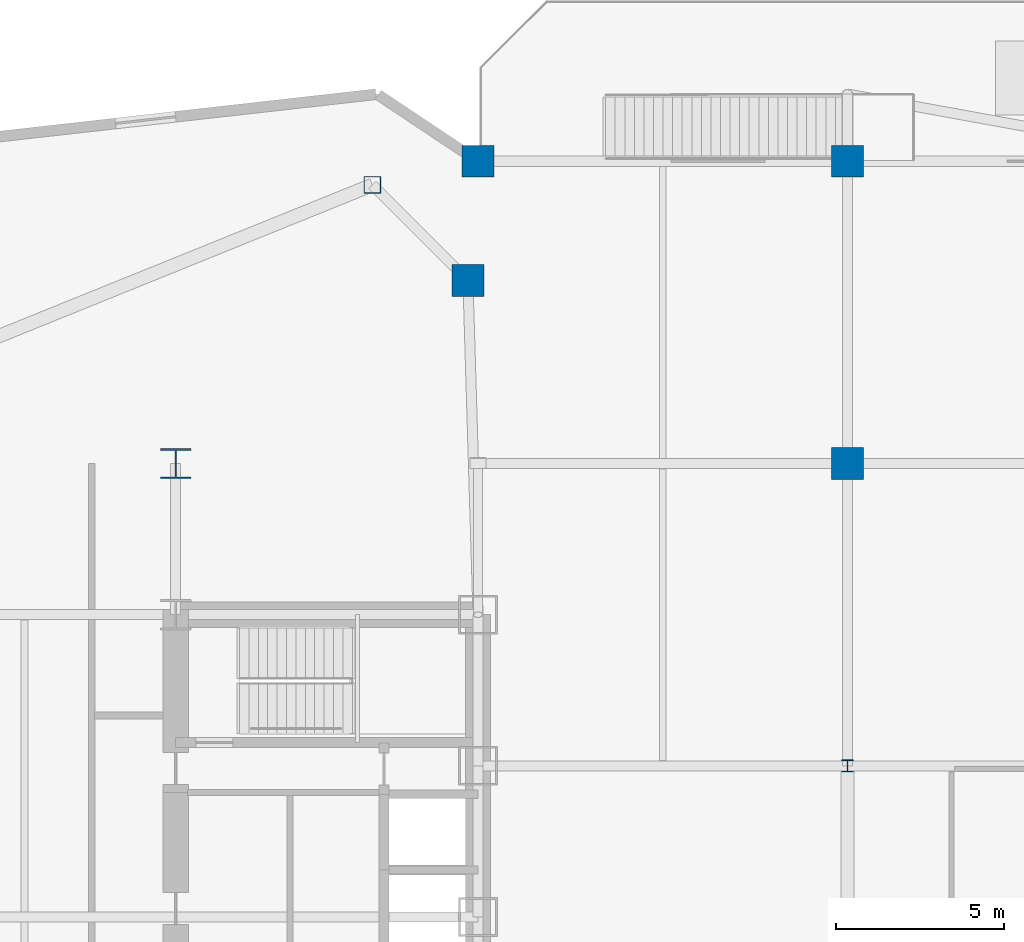
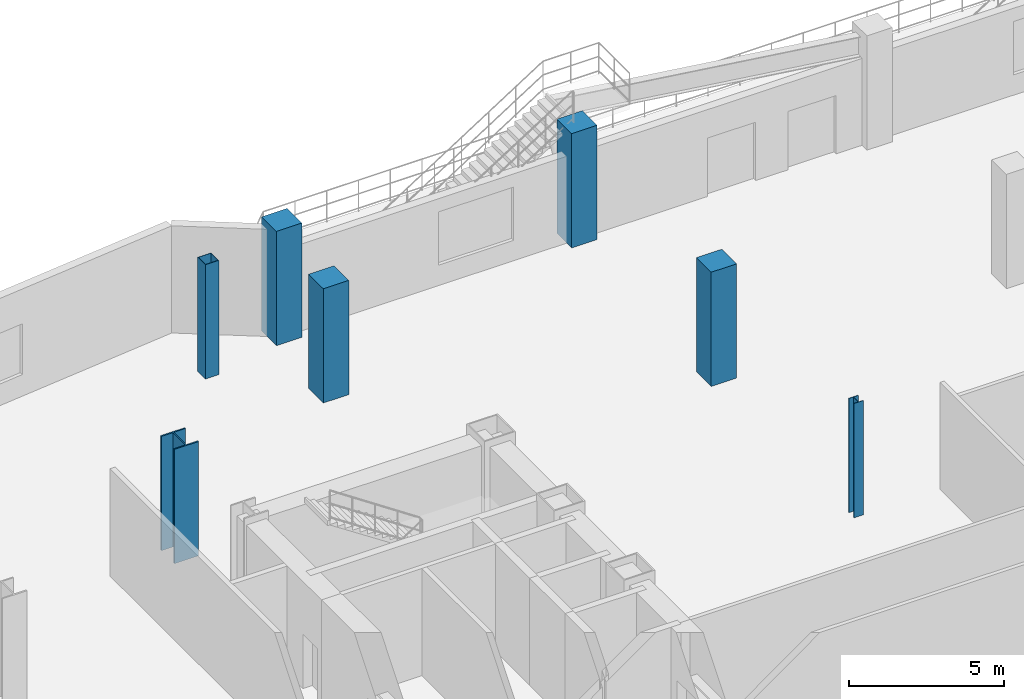
# One storey, part 4 of 25: 7 columns.
"""IFC4 building model written with IfcOpenShell, lengths in metres."""

from ifc_helpers import new_model, si_unit, direction, frame, origin, origin_2d, place, context, subcontext, project, spatial, rectangle, hollow_rectangle, i_section, extrude, source, transform, mapped, material, material_profile, profile_set, type_object, type_shapes, element, save


model = new_model("IFC4")

# Units and contexts
model_context = context("Model", 3, precision=1e-05, world=origin(), true_north=direction((0.0, 1.0)))
body_context = subcontext(model_context, "Body", "Model", "MODEL_VIEW")
ifc_project = project(units=[si_unit("LENGTHUNIT", "METRE"), si_unit("AREAUNIT", "SQUARE_METRE"), si_unit("VOLUMEUNIT", "CUBIC_METRE"), si_unit("PLANEANGLEUNIT", "RADIAN"), si_unit("MASSUNIT", "GRAM", prefix="KILO")], contexts=[model_context])

# Site, building, storey
site_placement = place(None, origin())
site = spatial("IfcSite", under=ifc_project, at=site_placement, CompositionType="ELEMENT")
building_placement = place(site_placement, origin())
building = spatial("IfcBuilding", under=site, at=building_placement, Name="Seokmaru Belvedere", CompositionType="ELEMENT")
storey_placement = place(building_placement, frame((0.0, 0.0, 5.39990234375)))
storey = spatial("IfcBuildingStorey", under=building, at=storey_placement, Name="L01", CompositionType="ELEMENT", Elevation=5.39990234375)

# Columns
ifc_material_1 = material(Name="Concrete C50 (50 MPa)", Category="concrete")
ifc_material_profile_1 = material_profile(ifc_material_1, rectangle(XDim=0.949951171875, YDim=0.949951171875, at=origin_2d()), Name="RC-950x950")
ifc_profile_set_1 = profile_set([ifc_material_profile_1], Name="Concrete C50 (50 MPa)")
column_type_1 = type_object("IfcColumnType", Name="Podium Substructure Column RC-950", PredefinedType="COLUMN", material=ifc_profile_set_1)
shared_shape_1 = source(origin(), body_context, "Body", "SweptSolid", [
    extrude(rectangle(XDim=0.949951171875, YDim=0.949951171875, at=origin_2d()), origin(), (0.0, 0.0, 1.0), 4.5),
])
type_shapes(column_type_1, [shared_shape_1])
for number, where, z_axis, x_axis, name in (
    (1, (-27.5, 27.0, 0.0), (0.0, 0.0, 1.0), (1.0, 0.0, 0.0), "L01 Column WPS2"),
    (2, (-27.800048828125, 23.451416015625, 0.0), (0.0, 0.0, 1.0), (1.0, 0.0, 0.0), "L01 Column WPM_N"),
    (3, (-16.5, 18.0, 0.0), (0.0, 0.0, 1.0), (1.0, 0.0, 0.0), "L01 Column CP1_5"),
    (4, (-16.5, 27.0, 0.0), (0.0, 0.0, 1.0), (1.0, 0.0, 0.0), "L01 Column CP1_6"),
):
    element("IfcColumn", number, at=place(storey_placement, frame(where, z_axis=z_axis, x_axis=x_axis)), inside=storey, type_object=column_type_1, Name=name, PredefinedType="COLUMN", context=body_context, shape_type="MappedRepresentation", body=[
        mapped(shared_shape_1, transform((0.0, 0.0, 0.0), scale=1.0)),
    ])
ifc_material_2 = material(Name="Steel HSA650 (650 MPa)", Category="steel")
ifc_material_profile_2 = material_profile(ifc_material_2, i_section(OverallWidth=0.89990234375, OverallDepth=0.89990234375, WebThickness=0.035888671875, FlangeThickness=0.054931640625, at=origin_2d()), Name="H-900x900x36x55")
ifc_profile_set_2 = profile_set([ifc_material_profile_2], Name="Steel HSA650 (650 MPa)")
column_type_2 = type_object("IfcColumnType", Name="Lower Interior Column H-900", PredefinedType="COLUMN", material=ifc_profile_set_2)
shared_shape_2 = source(origin(), body_context, "Body", "SweptSolid", [
    extrude(i_section(OverallWidth=0.89990234375, OverallDepth=0.89990234375, WebThickness=0.035888671875, FlangeThickness=0.054931640625, at=origin_2d()), origin(), (0.0, 0.0, 1.0), 4.5),
])
type_shapes(column_type_2, [shared_shape_2])
column_1_placement = place(storey_placement, frame((-36.5, 18.0, 0.0), z_axis=(0.0, 0.0, 1.0), x_axis=(1.0, 0.0, 0.0)))
element("IfcColumn", 5, at=column_1_placement, inside=storey, type_object=column_type_2, Name="L01 Column WC4", PredefinedType="COLUMN", context=body_context, shape_type="MappedRepresentation", body=[
    mapped(shared_shape_2, transform((0.0, 0.0, 0.0), scale=1.0)),
])
ifc_material_3 = material(Name="Steel SM355 (355 MPa)", Category="steel")
ifc_material_profile_3 = material_profile(ifc_material_3, hollow_rectangle(XDim=0.5, YDim=0.5, WallThickness=0.02001953125, at=origin_2d()), Name="HSS-500x500x20")
ifc_profile_set_3 = profile_set([ifc_material_profile_3], Name="Steel SM355 (355 MPa)")
column_type_3 = type_object("IfcColumnType", Name="Perimeter Facet Column HSS-500", PredefinedType="COLUMN", material=ifc_profile_set_3)
shared_shape_3 = source(origin(), body_context, "Body", "SweptSolid", [
    extrude(hollow_rectangle(XDim=0.5, YDim=0.5, WallThickness=0.02001953125, at=origin_2d()), origin(), (0.0, 0.0, 1.0), 4.5),
])
type_shapes(column_type_3, [shared_shape_3])
column_2_placement = place(storey_placement, frame((-30.643310546875, 26.294677734375, 0.0), z_axis=(0.0, 0.0, 1.0), x_axis=(1.0, 0.0, 0.0)))
element("IfcColumn", 6, at=column_2_placement, inside=storey, type_object=column_type_3, Name="L01 Column WF3", PredefinedType="COLUMN", context=body_context, shape_type="MappedRepresentation", body=[
    mapped(shared_shape_3, transform((0.0, 0.0, 0.0), scale=1.0)),
])
ifc_material_profile_4 = material_profile(ifc_material_3, i_section(OverallWidth=0.35009765625, OverallDepth=0.35009765625, WebThickness=0.011962890625, FlangeThickness=0.01904296875, at=origin_2d()), Name="H-350x350x12x19")
ifc_profile_set_4 = profile_set([ifc_material_profile_4], Name="Steel SM355 (355 MPa)")
column_type_4 = type_object("IfcColumnType", Name="Podium Gallery Column H-350", PredefinedType="COLUMN", material=ifc_profile_set_4)
shared_shape_4 = source(origin(), body_context, "Body", "SweptSolid", [
    extrude(i_section(OverallWidth=0.35009765625, OverallDepth=0.35009765625, WebThickness=0.011962890625, FlangeThickness=0.01904296875, at=origin_2d()), origin(), (0.0, 0.0, 1.0), 4.5),
])
type_shapes(column_type_4, [shared_shape_4])
column_3_placement = place(storey_placement, frame((-16.5, 9.0, 0.0), z_axis=(0.0, 0.0, 1.0), x_axis=(1.0, 0.0, 0.0)))
element("IfcColumn", 7, at=column_3_placement, inside=storey, type_object=column_type_4, Name="L01 Column CP1_4", PredefinedType="COLUMN", context=body_context, shape_type="MappedRepresentation", body=[
    mapped(shared_shape_4, transform((0.0, 0.0, 0.0), scale=1.0)),
])

save(model, "model.ifc")
